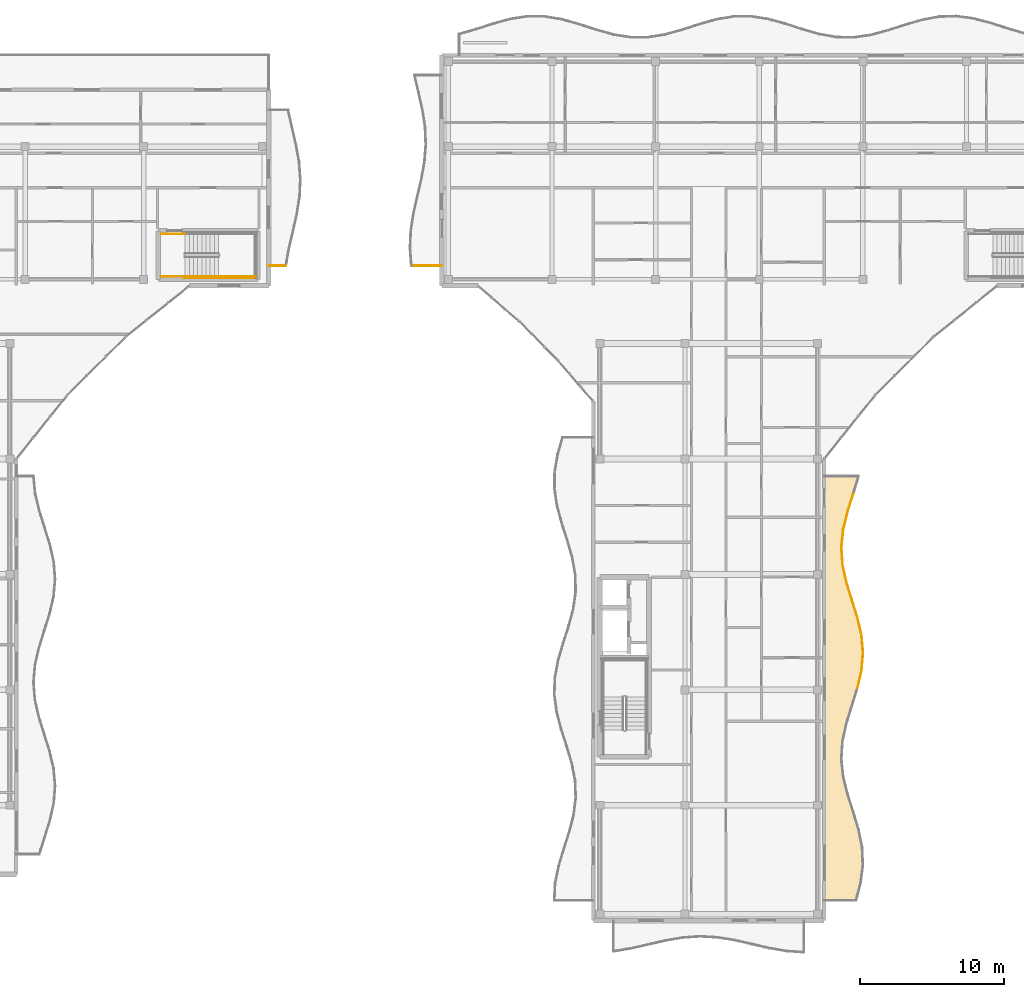
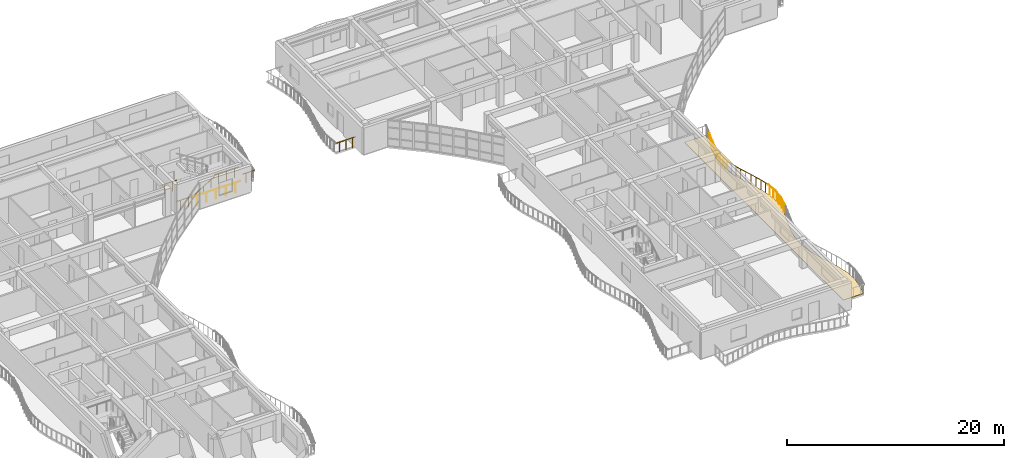
# One storey, part 57 of 68: 18 railings, 1 covering.
"""IFC4 building model written with IfcOpenShell, lengths in metres."""

from ifc_helpers import new_model, si_unit, direction, frame, origin, origin_2d, place, context, subcontext, project, spatial, polyline, circle, outline, extrude, material, layer, layer_set, type_object, element, save


model = new_model("IFC4")

# Units and contexts
model_context = context("Model", 3, precision=1e-05, world=origin(), true_north=direction((0.0, 1.0)))
body_context = subcontext(model_context, "Body", "Model", "MODEL_VIEW")
ifc_project = project(units=[si_unit("LENGTHUNIT", "METRE"), si_unit("AREAUNIT", "SQUARE_METRE"), si_unit("VOLUMEUNIT", "CUBIC_METRE"), si_unit("PLANEANGLEUNIT", "RADIAN"), si_unit("MASSUNIT", "GRAM", prefix="KILO")], contexts=[model_context])

# Site, building, storey
site_placement = place(None, origin())
site = spatial("IfcSite", under=ifc_project, at=site_placement, CompositionType="ELEMENT")
building_placement = place(site_placement, origin())
building = spatial("IfcBuilding", under=site, at=building_placement, Name="Keldmere Railside Commons", CompositionType="ELEMENT")
storey_placement = place(building_placement, frame((0.0, 0.0, 23.360107421875)))
storey = spatial("IfcBuildingStorey", under=building, at=storey_placement, Name="L07", CompositionType="ELEMENT", Elevation=23.360107421875)

# Railings
ifc_material_1 = material(Name="Steel F-24 (S235)", Category="steel")
railing_type_1 = type_object("IfcRailingType", Name="Balcony & Terrace Steel Balustrade 1100", PredefinedType="BALUSTRADE", material=ifc_material_1)
railing_1_placement = place(storey_placement, frame((81.5, 101.39990234375, 0.0)))
element("IfcRailing", 1, at=railing_1_placement, inside=storey, type_object=railing_type_1, Name="GR-1 GRD-L07-1599", PredefinedType="BALUSTRADE", context=body_context, shape_type="SweptSolid", body=[
    extrude(circle(Radius=0.02392578125, at=origin_2d()), frame((0.0, 0.0, 1.076171875), z_axis=(1.0, 0.0, 0.0), x_axis=(0.0, 1.0, 0.0)), (0.0, 0.0, 1.0), 1.1923828125),
    extrude(circle(Radius=0.02099609375, at=origin_2d()), frame((0.298095703125, 0.0, 0.0)), (0.0, 0.0, 1.0), 1.048095703125),
    extrude(circle(Radius=0.02099609375, at=origin_2d()), frame((0.894287109375, 0.0, 0.0)), (0.0, 0.0, 1.0), 1.048095703125),
])
railing_2_placement = place(storey_placement, frame((122.30810546875, 72.10009765625, 0.0)))
element("IfcRailing", 2, at=railing_2_placement, inside=storey, type_object=railing_type_1, Name="GR-1 GRD-L07-2680", PredefinedType="BALUSTRADE", context=body_context, shape_type="SweptSolid", body=[
    extrude(circle(Radius=0.02392578125, at=origin_2d()), frame((0.0, 0.0, 1.076171875), z_axis=(0.227113023034, 0.973868407316, 0.0), x_axis=(-0.973868407316, 0.227113023034, 0.0)), (0.0, 0.0, 1.0), 1.2578125),
    extrude(circle(Radius=0.02099609375, at=origin_2d()), frame((0.0712890625, 0.30615234375, 0.0)), (0.0, 0.0, 1.0), 1.048095703125),
    extrude(circle(Radius=0.02099609375, at=origin_2d()), frame((0.21435546875, 0.918701171875, 0.0)), (0.0, 0.0, 1.0), 1.048095703125),
])
railing_3_placement = place(storey_placement, frame((122.59375, 73.324951171875, 0.0)))
element("IfcRailing", 3, at=railing_3_placement, inside=storey, type_object=railing_type_1, Name="GR-1 GRD-L07-2681", PredefinedType="BALUSTRADE", context=body_context, shape_type="SweptSolid", body=[
    extrude(circle(Radius=0.02392578125, at=origin_2d()), frame((0.0, 0.0, 1.076171875), z_axis=(0.086364026816, 0.99626364727, 0.0), x_axis=(-0.99626364727, 0.086364026816, 0.0)), (0.0, 0.0, 1.0), 1.229736328125),
    extrude(circle(Radius=0.02099609375, at=origin_2d()), frame((0.026611328125, 0.30615234375, 0.0)), (0.0, 0.0, 1.0), 1.048095703125),
    extrude(circle(Radius=0.02099609375, at=origin_2d()), frame((0.07958984375, 0.9189453125, 0.0)), (0.0, 0.0, 1.0), 1.048095703125),
])
railing_4_placement = place(storey_placement, frame((122.699951171875, 74.550048828125, 0.0)))
element("IfcRailing", 4, at=railing_4_placement, inside=storey, type_object=railing_type_1, Name="GR-1 GRD-L07-2682", PredefinedType="BALUSTRADE", context=body_context, shape_type="SweptSolid", body=[
    extrude(circle(Radius=0.02392578125, at=origin_2d()), frame((0.0, 0.0, 1.076171875), z_axis=(-0.083818021727, 0.996481078212, 0.0), x_axis=(-0.996481078212, -0.083818021727, 0.0)), (0.0, 0.0, 1.0), 1.229248046875),
    extrude(circle(Radius=0.02099609375, at=origin_2d()), frame((-0.02587890625, 0.30615234375, 0.0)), (0.0, 0.0, 1.0), 1.048095703125),
    extrude(circle(Radius=0.02099609375, at=origin_2d()), frame((-0.0771484375, 0.918701171875, 0.0)), (0.0, 0.0, 1.0), 1.048095703125),
])
railing_5_placement = place(storey_placement, frame((122.596923828125, 75.77490234375, 0.0)))
element("IfcRailing", 5, at=railing_5_placement, inside=storey, type_object=railing_type_1, Name="GR-1 GRD-L07-2683", PredefinedType="BALUSTRADE", context=body_context, shape_type="SweptSolid", body=[
    extrude(circle(Radius=0.02392578125, at=origin_2d()), frame((0.0, 0.0, 1.076171875), z_axis=(-0.225412481392, 0.974263420864, 0.0), x_axis=(-0.974263420864, -0.225412481392, 0.0)), (0.0, 0.0, 1.0), 1.257568359375),
    extrude(circle(Radius=0.02099609375, at=origin_2d()), frame((-0.07080078125, 0.30615234375, 0.0)), (0.0, 0.0, 1.0), 1.048095703125),
    extrude(circle(Radius=0.02099609375, at=origin_2d()), frame((-0.212646484375, 0.9189453125, 0.0)), (0.0, 0.0, 1.0), 1.048095703125),
])
railing_6_placement = place(storey_placement, frame((122.3134765625, 77.0, 0.0)))
element("IfcRailing", 6, at=railing_6_placement, inside=storey, type_object=railing_type_1, Name="GR-1 GRD-L07-2684", PredefinedType="BALUSTRADE", context=body_context, shape_type="SweptSolid", body=[
    extrude(circle(Radius=0.02392578125, at=origin_2d()), frame((0.0, 0.0, 1.076171875), z_axis=(-0.299811766019, 0.953998377858, 0.0), x_axis=(-0.953998377858, -0.299811766019, 0.0)), (0.0, 0.0, 1.0), 1.2841796875),
    extrude(circle(Radius=0.02099609375, at=origin_2d()), frame((-0.09619140625, 0.30615234375, 0.0)), (0.0, 0.0, 1.0), 1.048095703125),
    extrude(circle(Radius=0.02099609375, at=origin_2d()), frame((-0.288818359375, 0.9189453125, 0.0)), (0.0, 0.0, 1.0), 1.048095703125),
])
railing_7_placement = place(storey_placement, frame((121.928466796875, 78.22509765625, 0.0)))
element("IfcRailing", 7, at=railing_7_placement, inside=storey, type_object=railing_type_1, Name="GR-1 GRD-L07-2685", PredefinedType="BALUSTRADE", context=body_context, shape_type="SweptSolid", body=[
    extrude(circle(Radius=0.02392578125, at=origin_2d()), frame((0.0, 0.0, 1.076171875), z_axis=(-0.295530640219, 0.955333261585, 0.0), x_axis=(-0.955333261585, -0.295530640219, 0.0)), (0.0, 0.0, 1.0), 1.2822265625),
    extrude(circle(Radius=0.02099609375, at=origin_2d()), frame((-0.0947265625, 0.30615234375, 0.0)), (0.0, 0.0, 1.0), 1.048095703125),
    extrude(circle(Radius=0.02099609375, at=origin_2d()), frame((-0.2841796875, 0.918701171875, 0.0)), (0.0, 0.0, 1.0), 1.048095703125),
])
railing_8_placement = place(storey_placement, frame((121.549560546875, 79.449951171875, 0.0)))
element("IfcRailing", 8, at=railing_8_placement, inside=storey, type_object=railing_type_1, Name="GR-1 GRD-L07-2686", PredefinedType="BALUSTRADE", context=body_context, shape_type="SweptSolid", body=[
    extrude(circle(Radius=0.02392578125, at=origin_2d()), frame((0.0, 0.0, 1.076171875), z_axis=(-0.213011624831, 0.977049664903, 0.0), x_axis=(-0.977049664903, -0.213011624831, 0.0)), (0.0, 0.0, 1.0), 1.25390625),
    extrude(circle(Radius=0.02099609375, at=origin_2d()), frame((-0.06689453125, 0.30615234375, 0.0)), (0.0, 0.0, 1.0), 1.048095703125),
    extrude(circle(Radius=0.02099609375, at=origin_2d()), frame((-0.2001953125, 0.9189453125, 0.0)), (0.0, 0.0, 1.0), 1.048095703125),
])
railing_9_placement = place(storey_placement, frame((121.282470703125, 80.675048828125, 0.0)))
element("IfcRailing", 9, at=railing_9_placement, inside=storey, type_object=railing_type_1, Name="GR-1 GRD-L07-2687", PredefinedType="BALUSTRADE", context=body_context, shape_type="SweptSolid", body=[
    extrude(circle(Radius=0.02392578125, at=origin_2d()), frame((0.0, 0.0, 1.076171875), z_axis=(-0.06603058462, 0.997817599511, 0.0), x_axis=(-0.997817599511, -0.06603058462, 0.0)), (0.0, 0.0, 1.0), 1.2275390625),
    extrude(circle(Radius=0.02099609375, at=origin_2d()), frame((-0.020263671875, 0.30615234375, 0.0)), (0.0, 0.0, 1.0), 1.048095703125),
    extrude(circle(Radius=0.02099609375, at=origin_2d()), frame((-0.060791015625, 0.918701171875, 0.0)), (0.0, 0.0, 1.0), 1.048095703125),
])
railing_10_placement = place(storey_placement, frame((121.201416015625, 81.89990234375, 0.0)))
element("IfcRailing", 10, at=railing_10_placement, inside=storey, type_object=railing_type_1, Name="GR-1 GRD-L07-2688", PredefinedType="BALUSTRADE", context=body_context, shape_type="SweptSolid", body=[
    extrude(circle(Radius=0.02392578125, at=origin_2d()), frame((0.0, 0.0, 1.076171875), z_axis=(0.103859347396, 0.994591994719, 0.0), x_axis=(-0.994591994719, 0.103859347396, 0.0)), (0.0, 0.0, 1.0), 1.231689453125),
    extrude(circle(Radius=0.02099609375, at=origin_2d()), frame((0.031982421875, 0.30615234375, 0.0)), (0.0, 0.0, 1.0), 1.048095703125),
    extrude(circle(Radius=0.02099609375, at=origin_2d()), frame((0.095947265625, 0.9189453125, 0.0)), (0.0, 0.0, 1.0), 1.048095703125),
])
railing_11_placement = place(storey_placement, frame((121.329345703125, 83.125, 0.0)))
element("IfcRailing", 11, at=railing_11_placement, inside=storey, type_object=railing_type_1, Name="GR-1 GRD-L07-2689", PredefinedType="BALUSTRADE", context=body_context, shape_type="SweptSolid", body=[
    extrude(circle(Radius=0.02392578125, at=origin_2d()), frame((0.0, 0.0, 1.076171875), z_axis=(0.238617592991, 0.971113610406, 0.0), x_axis=(-0.971113610406, 0.238617592991, 0.0)), (0.0, 0.0, 1.0), 1.261474609375),
    extrude(circle(Radius=0.02099609375, at=origin_2d()), frame((0.0751953125, 0.30615234375, 0.0)), (0.0, 0.0, 1.0), 1.048095703125),
    extrude(circle(Radius=0.02099609375, at=origin_2d()), frame((0.225830078125, 0.9189453125, 0.0)), (0.0, 0.0, 1.0), 1.048095703125),
])
railing_12_placement = place(storey_placement, frame((121.63037109375, 84.35009765625, 0.0)))
element("IfcRailing", 12, at=railing_12_placement, inside=storey, type_object=railing_type_1, Name="GR-1 GRD-L07-2690", PredefinedType="BALUSTRADE", context=body_context, shape_type="SweptSolid", body=[
    extrude(circle(Radius=0.02392578125, at=origin_2d()), frame((0.0, 0.0, 1.076171875), z_axis=(0.303493691374, 0.952833447826, 0.0), x_axis=(-0.952833447826, 0.303493691374, 0.0)), (0.0, 0.0, 1.0), 1.285400390625),
    extrude(circle(Radius=0.02099609375, at=origin_2d()), frame((0.09765625, 0.30615234375, 0.0)), (0.0, 0.0, 1.0), 1.048095703125),
    extrude(circle(Radius=0.02099609375, at=origin_2d()), frame((0.29248046875, 0.918701171875, 0.0)), (0.0, 0.0, 1.0), 1.048095703125),
])
railing_13_placement = place(storey_placement, frame((93.5, 101.39990234375, 0.0)))
element("IfcRailing", 13, at=railing_13_placement, inside=storey, type_object=railing_type_1, Name="GR-1 GRD-L07-2735", PredefinedType="BALUSTRADE", context=body_context, shape_type="SweptSolid", body=[
    extrude(circle(Radius=0.02392578125, at=origin_2d()), frame((0.0, 0.0, 1.076171875), z_axis=(-1.0, 0.0, 0.0), x_axis=(0.0, -1.0, 0.0)), (0.0, 0.0, 1.0), 2.102783203125),
    extrude(circle(Radius=0.02099609375, at=origin_2d()), frame((-0.3505859375, 0.0, 0.0)), (0.0, 0.0, 1.0), 1.048095703125),
    extrude(circle(Radius=0.02099609375, at=origin_2d()), frame((-1.05126953125, 0.0, 0.0)), (0.0, 0.0, 1.0), 1.048095703125),
    extrude(circle(Radius=0.02099609375, at=origin_2d()), frame((-1.75244140625, 0.0, 0.0)), (0.0, 0.0, 1.0), 1.048095703125),
])
railing_type_2 = type_object("IfcRailingType", Name="Stair Well Steel Guardrail 1100", PredefinedType="BALUSTRADE", material=ifc_material_1)
railing_14_placement = place(storey_placement, frame((78.02001953125, 100.64990234375, 1.599853515625)))
element("IfcRailing", 14, at=railing_14_placement, inside=storey, type_object=railing_type_2, Name="L07 ST-C2 stair guard 3", PredefinedType="BALUSTRADE", context=body_context, shape_type="SweptSolid", body=[
    extrude(circle(Radius=0.02392578125, at=origin_2d()), frame((0.0, 0.0, 1.076171875), z_axis=(1.0, 0.0, 0.0), x_axis=(0.0, 1.0, 0.0)), (0.0, 0.0, 1.0), 2.580078125),
    extrude(circle(Radius=0.02099609375, at=origin_2d()), frame((0.429931640625, 0.0, 0.0)), (0.0, 0.0, 1.0), 1.048095703125),
    extrude(circle(Radius=0.02099609375, at=origin_2d()), frame((1.2900390625, 0.0, 0.0)), (0.0, 0.0, 1.0), 1.048095703125),
    extrude(circle(Radius=0.02099609375, at=origin_2d()), frame((2.150146484375, 0.0, 0.0)), (0.0, 0.0, 1.0), 1.048095703125),
])
for number, where, name in (
    (15, (74.0, 100.64990234375, 0.0), "L07 ST-C2 stair guard 8"),
    (16, (74.0, 103.60009765625, 0.0), "L07 ST-C2 stair guard 9"),
):
    element("IfcRailing", number, at=place(storey_placement, frame(where)), inside=storey, type_object=railing_type_2, Name=name, PredefinedType="BALUSTRADE", context=body_context, shape_type="SweptSolid", body=[
        extrude(circle(Radius=0.02392578125, at=origin_2d()), frame((0.0, 0.0, 1.076171875), z_axis=(1.0, 0.0, 0.0), x_axis=(0.0, 1.0, 0.0)), (0.0, 0.0, 1.0), 1.699951171875),
        extrude(circle(Radius=0.02099609375, at=origin_2d()), frame((0.425048828125, 0.0, 0.0)), (0.0, 0.0, 1.0), 1.048095703125),
        extrude(circle(Radius=0.02099609375, at=origin_2d()), frame((1.27490234375, 0.0, 0.0)), (0.0, 0.0, 1.0), 1.048095703125),
    ])
railing_15_placement = place(storey_placement, frame((75.60009765625, 100.550048828125, 0.0)))
element("IfcRailing", 17, at=railing_15_placement, inside=storey, type_object=railing_type_2, Name="L07 ST-C2 stair guard 10", PredefinedType="BALUSTRADE", context=body_context, shape_type="SweptSolid", body=[
    extrude(circle(Radius=0.02392578125, at=origin_2d()), frame((0.0, 0.0, 1.076171875), z_axis=(1.0, 0.0, 0.0), x_axis=(0.0, 1.0, 0.0)), (0.0, 0.0, 1.0), 5.099853515625),
    extrude(circle(Radius=0.02099609375, at=origin_2d()), frame((0.510009765625, 0.0, 0.0)), (0.0, 0.0, 1.0), 1.048095703125),
    extrude(circle(Radius=0.02099609375, at=origin_2d()), frame((1.530029296875, 0.0, 0.0)), (0.0, 0.0, 1.0), 1.048095703125),
    extrude(circle(Radius=0.02099609375, at=origin_2d()), frame((2.5498046875, 0.0, 0.0)), (0.0, 0.0, 1.0), 1.048095703125),
    extrude(circle(Radius=0.02099609375, at=origin_2d()), frame((3.56982421875, 0.0, 0.0)), (0.0, 0.0, 1.0), 1.048095703125),
    extrude(circle(Radius=0.02099609375, at=origin_2d()), frame((4.58984375, 0.0, 0.0)), (0.0, 0.0, 1.0), 1.048095703125),
])
railing_type_3 = type_object("IfcRailingType", Name="Wall-Mounted Tubular Steel Handrail 900", PredefinedType="HANDRAIL", material=ifc_material_1)
railing_16_placement = place(storey_placement, frame((75.699951171875, 100.64990234375, 0.177734375)))
element("IfcRailing", 18, at=railing_16_placement, inside=storey, type_object=railing_type_3, Name="L07 ST-C2 stair handrail 1", PredefinedType="HANDRAIL", context=body_context, shape_type="SweptSolid", body=[
    extrude(circle(Radius=0.02392578125, at=origin_2d()), frame((0.0, 0.0, 0.8759765625), z_axis=(0.852578041948, 0.0, 0.522599925744), x_axis=(0.0, 1.0, 0.0)), (0.0, 0.0, 1.0), 2.72119140625),
    extrude(circle(Radius=0.02099609375, at=origin_2d()), frame((0.38671875, 0.0, 0.237060546875)), (0.0, 0.0, 1.0), 0.847900390625),
    extrude(circle(Radius=0.02099609375, at=origin_2d()), frame((1.16015625, 0.0, 0.7109375)), (0.0, 0.0, 1.0), 0.847900390625),
    extrude(circle(Radius=0.02099609375, at=origin_2d()), frame((1.933349609375, 0.0, 1.18505859375)), (0.0, 0.0, 1.0), 0.847900390625),
])

# Covering
ifc_material_2 = material(Name="White Precast Concrete C35/45", Category="concrete")
ifc_layer = layer(ifc_material_2, 0.044921875, Name="White Architectural Balcony Ribbon Cladding 45")
ifc_layer_set = layer_set([ifc_layer], Name="White Precast Concrete C35/45")
covering_type = type_object("IfcCoveringType", Name="White Architectural Balcony Ribbon Cladding 45", PredefinedType="FLOORING", material=ifc_layer_set)
covering_placement = place(storey_placement, origin())
element("IfcCovering", 19, at=covering_placement, inside=storey, type_object=covering_type, Name="CLG-WB B L07 CE White Balcony Ribbon", PredefinedType="FLOORING", context=body_context, shape_type="SweptSolid", body=[
    extrude(outline(polyline([(122.498779296875, 58.632568359375), (122.653076171875, 59.851806640625), (122.60107421875, 61.0703125), (122.357177734375, 62.290283203125), (121.98828125, 63.51318359375), (121.59765625, 64.73779296875), (121.596923828125, 64.740478515625), (121.2939453125, 65.96533203125), (121.29296875, 65.970703125), (121.162109375, 67.19580078125), (121.161865234375, 67.19921875), (121.161865234375, 67.202392578125), (121.23974609375, 68.427490234375), (121.239990234375, 68.430419921875), (121.240478515625, 68.43359375), (121.50537109375, 69.658447265625), (121.50634765625, 69.661865234375), (121.88427734375, 70.88671875), (121.88427734375, 70.886962890625), (122.26953125, 72.110595703125), (122.55419921875, 73.331298828125), (122.659912109375, 74.550048828125), (122.557373046875, 75.768798828125), (122.27490234375, 76.989501953125), (121.890380859375, 78.212890625), (121.890380859375, 78.213134765625), (121.511474609375, 79.438232421875), (121.510498046875, 79.44140625), (121.243408203125, 80.66650390625), (121.242919921875, 80.66943359375), (121.242431640625, 80.67236328125), (121.16162109375, 81.8974609375), (121.161376953125, 81.90087890625), (121.16162109375, 81.904296875), (121.28955078125, 83.129150390625), (121.29052734375, 83.134521484375), (121.591552734375, 84.359619140625), (121.59228515625, 84.362060546875), (121.982421875, 85.5869140625), (122.337158203125, 86.760009765625), (120.0400390625, 86.760009765625), (120.0400390625, 57.43994140625), (122.18798828125, 57.43994140625), (122.498779296875, 58.632568359375)])), origin(), (0.0, 0.0, 1.0), 0.044921875),
])

save(model, "model.ifc")
